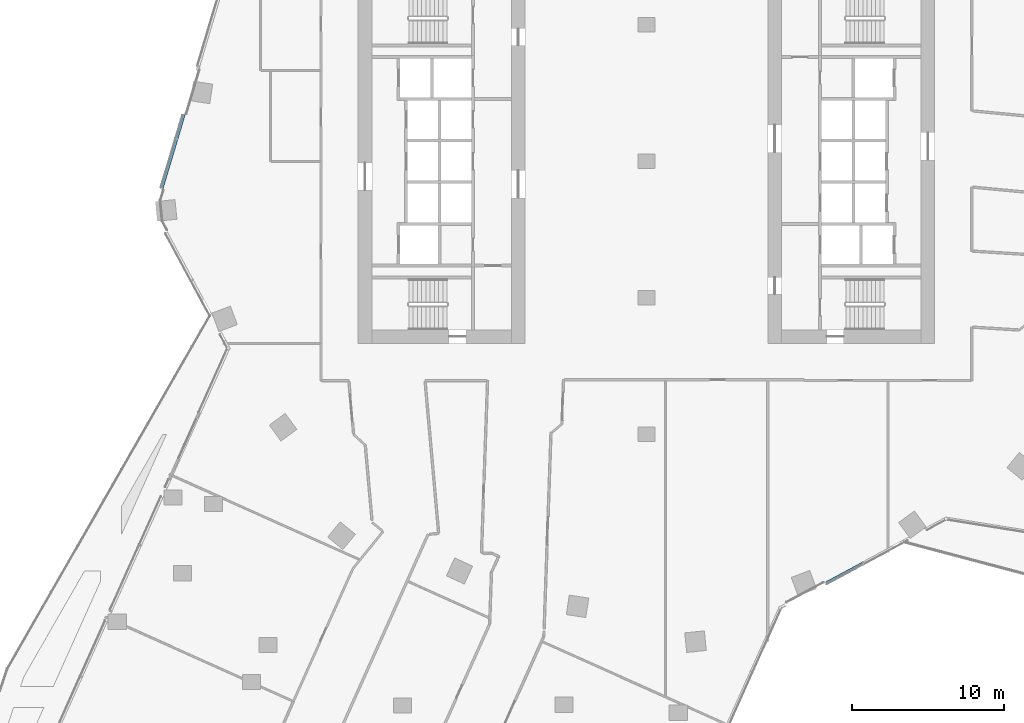
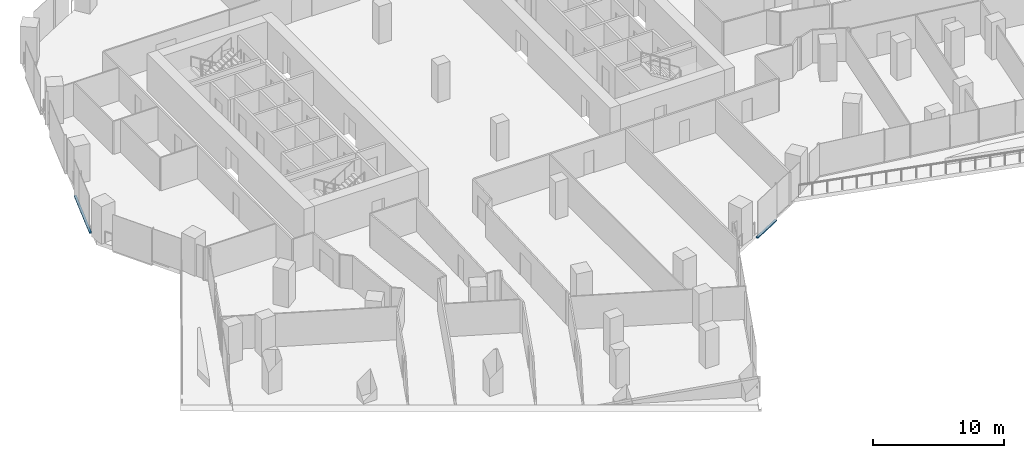
# One storey, part 6 of 32: 2 members, 2 elements without a shape of their own.
"""IFC4 building model written with IfcOpenShell, lengths in metres."""

from ifc_helpers import new_model, si_unit, direction, frame, origin, origin_2d, place, context, subcontext, project, spatial, rectangle, extrude, material, material_profile, profile_set, type_object, element, aggregate, save


model = new_model("IFC4")

# Units and contexts
model_context = context("Model", 3, precision=1e-05, world=origin(), true_north=direction((0.0, 1.0)))
body_context = subcontext(model_context, "Body", "Model", "MODEL_VIEW")
ifc_project = project(units=[si_unit("LENGTHUNIT", "METRE"), si_unit("AREAUNIT", "SQUARE_METRE"), si_unit("VOLUMEUNIT", "CUBIC_METRE"), si_unit("PLANEANGLEUNIT", "RADIAN"), si_unit("MASSUNIT", "GRAM", prefix="KILO")], contexts=[model_context])

# Site, building, storey
site_placement = place(None, origin())
site = spatial("IfcSite", under=ifc_project, at=site_placement, CompositionType="ELEMENT")
building_placement = place(site_placement, origin())
building = spatial("IfcBuilding", under=site, at=building_placement, Name="Orlundy Tower", CompositionType="ELEMENT")
storey_placement = place(building_placement, frame((0.0, 0.0, 123.699951171875)))
storey = spatial("IfcBuildingStorey", under=building, at=storey_placement, Name="L31", CompositionType="ELEMENT", Elevation=123.699951171875)

# Curtain wall, member
ifc_material_1 = material(Name="Aluminium bronze anodised", Category="aluminium")
curtain_wall_type = type_object("IfcCurtainWallType", Name="CW1 wall", PredefinedType="NOTDEFINED", material=ifc_material_1)
curtain_wall_1_placement = place(storey_placement, origin())
curtain_wall_1 = element("IfcCurtainWall", 1, at=curtain_wall_1_placement, inside=storey, type_object=curtain_wall_type, Name="CW1 run 02", PredefinedType="NOTDEFINED")
ifc_material_2 = material(Name="Aluminium bronze anodised", Category="aluminium")
ifc_material_profile = material_profile(ifc_material_2, rectangle(XDim=0.179931640625, YDim=0.1201171875, at=origin_2d()), Name="CW1 transom 180x120")
ifc_profile_set = profile_set([ifc_material_profile], Name="Aluminium bronze anodised")
member_type = type_object("IfcMemberType", Name="CW1 transom 180x120", PredefinedType="USERDEFINED", material=ifc_profile_set)
member_1_placement = place(storey_placement, frame((-31.939453125, -1.7685546875, -0.33984375), z_axis=(0.286826853454, 0.957982440412, 0.0), x_axis=(-0.957982440412, 0.286826853454, 0.0)))
member_1 = element("IfcMember", 2, at=member_1_placement, type_object=member_type, Name="CW1 transom", ObjectType="TRANSOM", PredefinedType="USERDEFINED", context=body_context, shape_type="SweptSolid", body=[
    extrude(rectangle(XDim=0.179931640625, YDim=0.1201171875, at=origin_2d()), origin(), (0.0, 0.0, 1.0), 5.072998046875),
])
aggregate(curtain_wall_1, [member_1])

curtain_wall_2_placement = place(storey_placement, origin())
curtain_wall_2 = element("IfcCurtainWall", 3, at=curtain_wall_2_placement, inside=storey, type_object=curtain_wall_type, Name="CW1 run 017", PredefinedType="NOTDEFINED")
member_2_placement = place(storey_placement, frame((14.2587890625, -26.4970703125, -0.33984375), z_axis=(-0.8801895091, -0.474622405782, 0.0), x_axis=(0.474622405782, -0.8801895091, 0.0)))
member_2 = element("IfcMember", 4, at=member_2_placement, type_object=member_type, Name="CW1 transom", ObjectType="TRANSOM", PredefinedType="USERDEFINED", context=body_context, shape_type="SweptSolid", body=[
    extrude(rectangle(XDim=0.179931640625, YDim=0.1201171875, at=origin_2d()), origin(), (0.0, 0.0, 1.0), 2.757568359375),
])
aggregate(curtain_wall_2, [member_2])

save(model, "model.ifc")
